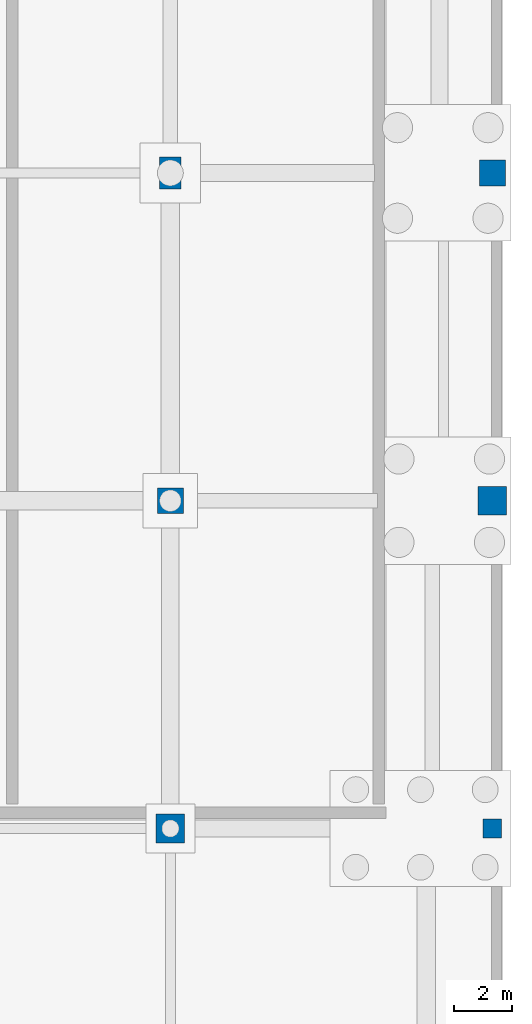
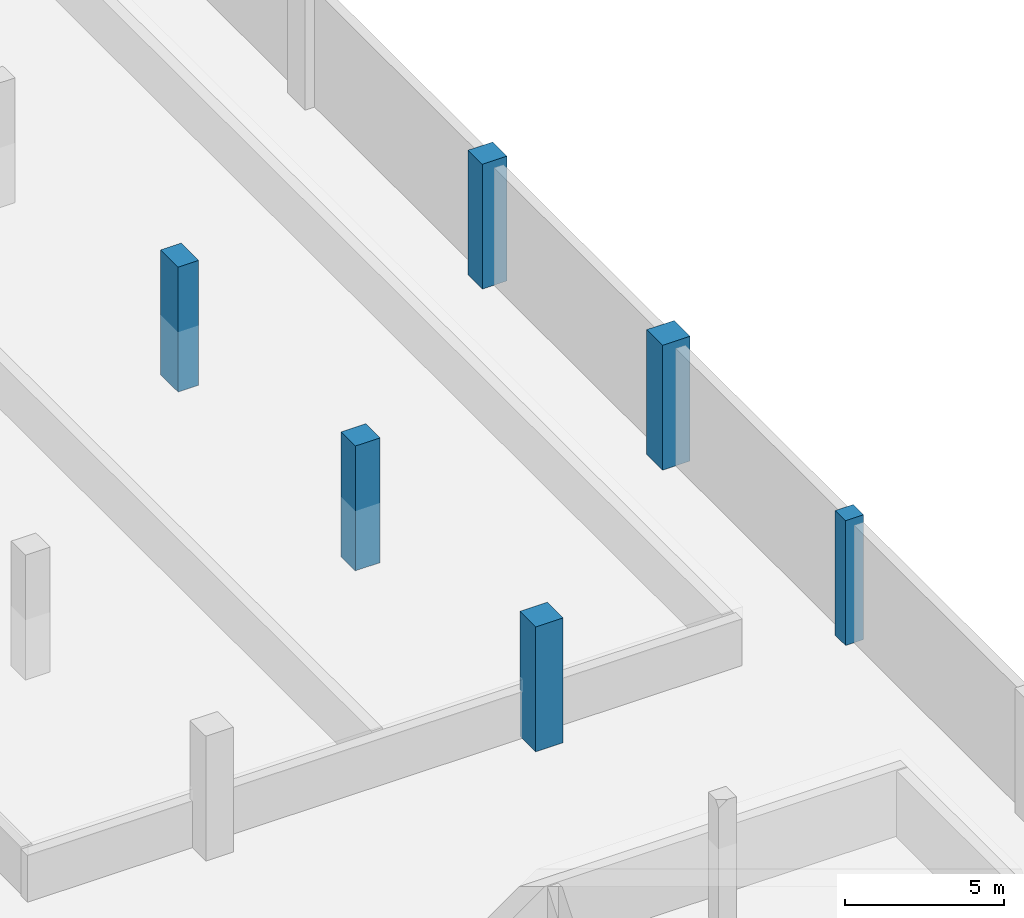
# One storey, part 16 of 34: 6 columns.
"""IFC4 building model written with IfcOpenShell, lengths in metres."""

from ifc_helpers import new_model, si_unit, direction, frame, origin, origin_2d, place, context, subcontext, project, spatial, rectangle, extrude, material, material_profile, profile_set, type_object, element, save


model = new_model("IFC4")

# Units and contexts
model_context = context("Model", 3, precision=1e-05, world=origin(), true_north=direction((0.0, 1.0)))
body_context = subcontext(model_context, "Body", "Model", "MODEL_VIEW")
ifc_project = project(units=[si_unit("LENGTHUNIT", "METRE"), si_unit("AREAUNIT", "SQUARE_METRE"), si_unit("VOLUMEUNIT", "CUBIC_METRE"), si_unit("PLANEANGLEUNIT", "RADIAN"), si_unit("MASSUNIT", "GRAM", prefix="KILO"), si_unit("POWERUNIT", "WATT"), si_unit("THERMODYNAMICTEMPERATUREUNIT", "KELVIN")], contexts=[model_context])

# Site, building, storey
site_placement = place(None, origin())
site = spatial("IfcSite", under=ifc_project, at=site_placement, CompositionType="ELEMENT")
building_placement = place(site_placement, origin())
building = spatial("IfcBuilding", under=site, at=building_placement, Name="Kelmbourne Parkland Aquatics Centre", CompositionType="ELEMENT")
storey_placement = place(building_placement, frame((0.0, 0.0, -4.800048828125)))
storey = spatial("IfcBuildingStorey", under=building, at=storey_placement, Name="B1", CompositionType="ELEMENT", Elevation=-4.800048828125)

# Columns
ifc_material = material(Name="Concrete C40/50", Category="concrete")
ifc_material_profile_1 = material_profile(ifc_material, rectangle(XDim=1.0, YDim=1.0, at=origin_2d()), Name="RC 1000x1000")
ifc_profile_set_1 = profile_set([ifc_material_profile_1], Name="Concrete C40/50")
column_type_1 = type_object("IfcColumnType", Name="COL-C01", PredefinedType="COLUMN", material=ifc_profile_set_1)
for number, where, z_axis, x_axis, name in (
    (1, (164.0, 35.0, 0.0), (0.0, 0.0, 1.0), (1.0, 0.0, 0.0), "Structural column S-05 (B1)"),
    (2, (175.199951171875, 46.39990234375, 0.0), (0.0, 0.0, 1.0), (1.0, 0.0, 0.0), "Structural column T-06 (B1)"),
):
    element("IfcColumn", number, at=place(storey_placement, frame(where, z_axis=z_axis, x_axis=x_axis)), inside=storey, type_object=column_type_1, Name=name, PredefinedType="COLUMN", context=body_context, shape_type="SweptSolid", body=[
        extrude(rectangle(XDim=1.0, YDim=1.0, at=origin_2d()), origin(), (0.0, 0.0, 1.0), 4.800048828125),
    ])
ifc_material_profile_2 = material_profile(ifc_material, rectangle(XDim=0.89990234375, YDim=0.89990234375, at=origin_2d()), Name="RC 900x900")
ifc_profile_set_2 = profile_set([ifc_material_profile_2], Name="Concrete C40/50")
column_type_2 = type_object("IfcColumnType", Name="COL-C02", PredefinedType="COLUMN", material=ifc_profile_set_2)
for number, where, z_axis, x_axis, name in (
    (3, (164.0, 46.39990234375, 0.0), (0.0, 0.0, 1.0), (1.0, 0.0, 0.0), "Structural column S-06 (B1)"),
    (4, (175.199951171875, 57.800048828125, 0.0), (0.0, 0.0, 1.0), (1.0, 0.0, 0.0), "Structural column T-08 (B1)"),
):
    element("IfcColumn", number, at=place(storey_placement, frame(where, z_axis=z_axis, x_axis=x_axis)), inside=storey, type_object=column_type_2, Name=name, PredefinedType="COLUMN", context=body_context, shape_type="SweptSolid", body=[
        extrude(rectangle(XDim=0.89990234375, YDim=0.89990234375, at=origin_2d()), origin(), (0.0, 0.0, 1.0), 4.800048828125),
    ])
ifc_material_profile_3 = material_profile(ifc_material, rectangle(XDim=0.75, YDim=1.10009765625, at=origin_2d()), Name="RC 750x1100")
ifc_profile_set_3 = profile_set([ifc_material_profile_3], Name="Concrete C40/50")
column_type_3 = type_object("IfcColumnType", Name="COL-C03", PredefinedType="COLUMN", material=ifc_profile_set_3)
column_1_placement = place(storey_placement, frame((164.0, 57.800048828125, 0.0), z_axis=(0.0, 0.0, 1.0), x_axis=(1.0, 0.0, 0.0)))
element("IfcColumn", 5, at=column_1_placement, inside=storey, type_object=column_type_3, Name="Structural column S-08 (B1)", PredefinedType="COLUMN", context=body_context, shape_type="SweptSolid", body=[
    extrude(rectangle(XDim=0.75, YDim=1.10009765625, at=origin_2d()), origin(), (0.0, 0.0, 1.0), 4.800048828125),
])
ifc_material_profile_4 = material_profile(ifc_material, rectangle(XDim=0.64990234375, YDim=0.64990234375, at=origin_2d()), Name="RC 650x650")
ifc_profile_set_4 = profile_set([ifc_material_profile_4], Name="Concrete C40/50")
column_type_4 = type_object("IfcColumnType", Name="COL-C06", PredefinedType="COLUMN", material=ifc_profile_set_4)
column_2_placement = place(storey_placement, frame((175.199951171875, 35.0, 0.0), z_axis=(0.0, 0.0, 1.0), x_axis=(1.0, 0.0, 0.0)))
element("IfcColumn", 6, at=column_2_placement, inside=storey, type_object=column_type_4, Name="Structural column T-05 (B1)", PredefinedType="COLUMN", context=body_context, shape_type="SweptSolid", body=[
    extrude(rectangle(XDim=0.64990234375, YDim=0.64990234375, at=origin_2d()), origin(), (0.0, 0.0, 1.0), 4.800048828125),
])

save(model, "model.ifc")
